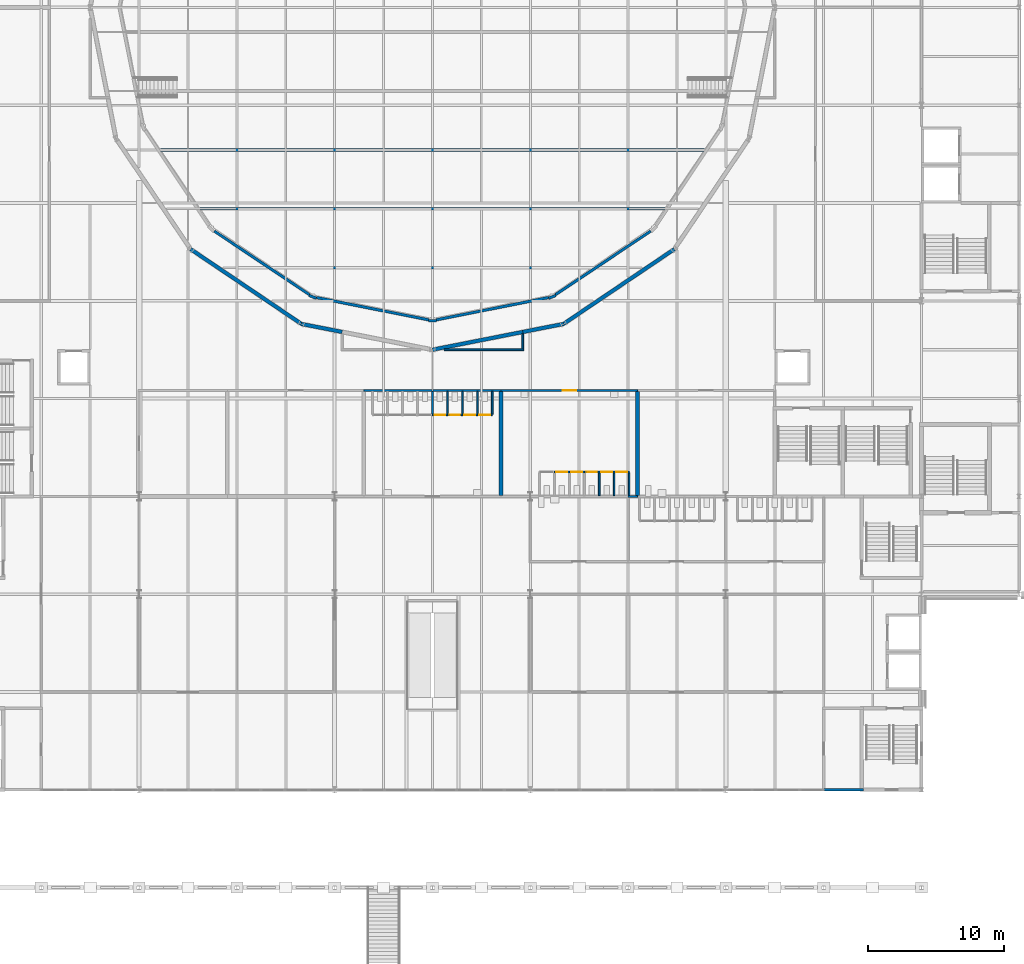
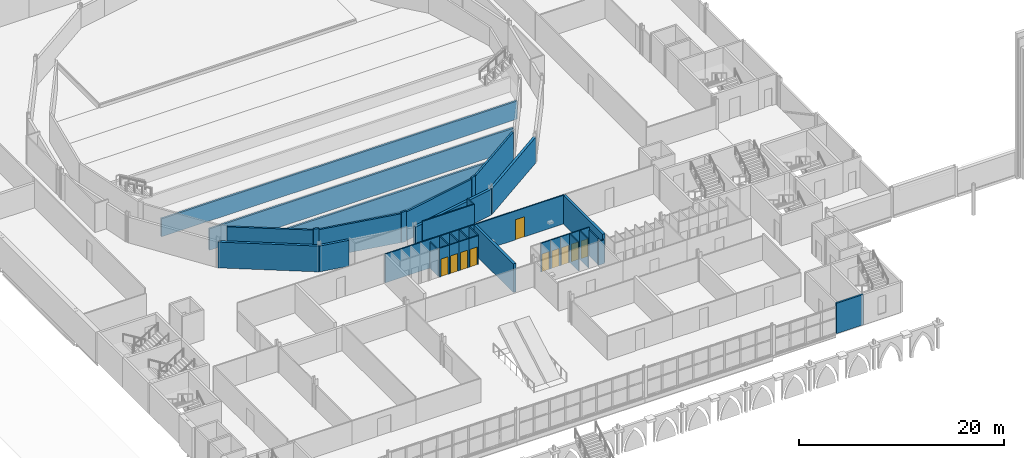
# One storey, part 47 of 90: 40 walls, 10 doors, 10 openings.
"""IFC4 building model written with IfcOpenShell, lengths in metres."""

from ifc_helpers import new_model, si_unit, direction, frame, frame_2d, origin, place, context, subcontext, project, spatial, rectangle, extrude, material, layer, layer_set, type_object, element, fill, save


model = new_model("IFC4")

# Units and contexts
model_context = context("Model", 3, precision=1e-05, world=origin(), true_north=direction((0.0, 1.0)))
body_context = subcontext(model_context, "Body", "Model", "MODEL_VIEW")
ifc_project = project(units=[si_unit("LENGTHUNIT", "METRE"), si_unit("AREAUNIT", "SQUARE_METRE"), si_unit("VOLUMEUNIT", "CUBIC_METRE"), si_unit("PLANEANGLEUNIT", "RADIAN"), si_unit("MASSUNIT", "GRAM", prefix="KILO")], contexts=[model_context])

# Site, building, storey
site_placement = place(None, origin())
site = spatial("IfcSite", under=ifc_project, at=site_placement, CompositionType="ELEMENT")
building_placement = place(site_placement, origin())
building = spatial("IfcBuilding", under=site, at=building_placement, Name="Kupolbacken Congress Centre", CompositionType="ELEMENT")
storey_placement = place(building_placement, frame((0.0, 0.0, 3.60009765625)))
storey = spatial("IfcBuildingStorey", under=building, at=storey_placement, Name="L01", CompositionType="ELEMENT", Elevation=3.60009765625)

# Wall, opening, door
ifc_material_1 = material(Name="Gypsum board", Category="drywall")
ifc_layer_1 = layer(ifc_material_1, 0.114990234375)
ifc_layer_set_1 = layer_set([ifc_layer_1], Name="Gypsum board")
wall_type_1 = type_object("IfcWallType", Name="P04 partition 115", PredefinedType="PARTITIONING", material=ifc_layer_set_1)
wall_1_placement = place(storey_placement, frame((43.199951171875, 56.39990234375, 0.0), z_axis=(0.0, 0.0, 1.0), x_axis=(1.0, 0.0, 0.0)))
wall_1 = element("IfcWall", 1, at=wall_1_placement, inside=storey, type_object=wall_type_1, Name="PD/L01/P-30-11/cub05/F", PredefinedType="PARTITIONING", context=body_context, shape_type="SweptSolid", body=[
    extrude(rectangle(XDim=1.10009765625, YDim=0.114990234375, at=frame_2d((0.550048828125, 0.0))), origin(), (0.0, 0.0, 1.0), 3.419921875),
])
opening_1_placement = place(wall_1_placement, frame((0.14990234375, 0.0, 0.0)))
opening_1 = element("IfcOpeningElement", 2, at=opening_1_placement, cuts=wall_1, Name="Opening 1.WP35", PredefinedType="OPENING", context=body_context, shape_type="SweptSolid", body=[
    extrude(rectangle(XDim=0.800048828125, YDim=2.10009765625, at=frame_2d((0.39990234375, 1.050048828125))), frame((0.0, 0.0673828125, 0.0), z_axis=(0.0, -1.0, 0.0), x_axis=(1.0, 0.0, 0.0)), (0.0, 0.0, 1.0), 0.135009765625),
])
ifc_material_2 = material(Name="Timber door leaf", Category="wood")
door_type_1 = type_object("IfcDoorType", Name="D2 door 800x2100", OperationType="SINGLE_SWING_LEFT", PredefinedType="DOOR", material=ifc_material_2)
door_1_placement = place(opening_1_placement, origin())
door_1 = element("IfcDoor", 3, at=door_1_placement, inside=storey, type_object=door_type_1, Name="PD/L01/P-30-11/cub05/F/DC", OperationType="SINGLE_SWING_RIGHT", OverallHeight=2.10009765625, OverallWidth=0.800048828125, PredefinedType="DOOR", context=body_context, shape_type="SweptSolid", body=[
    extrude(rectangle(XDim=0.800048828125, YDim=2.10009765625, at=frame_2d((0.39990234375, 1.050048828125))), frame((0.0, 0.02490234375, 0.0), z_axis=(0.0, -1.0, 0.0), x_axis=(1.0, 0.0, 0.0)), (0.0, 0.0, 1.0), 0.050048828125),
])
fill(opening_1, door_1)

# Wall
wall_2_placement = place(storey_placement, frame((43.199951171875, 58.142578125, 0.0), z_axis=(0.0, 0.0, 1.0), x_axis=(0.0, -1.0, 0.0)))
element("IfcWall", 4, at=wall_2_placement, inside=storey, type_object=wall_type_1, Name="PD/L01/P-30-11/cub05/a", PredefinedType="PARTITIONING", context=body_context, shape_type="SweptSolid", body=[
    extrude(rectangle(XDim=1.68505859375, YDim=0.114990234375, at=frame_2d((0.842529296875, 0.0))), origin(), (0.0, 0.0, 1.0), 3.119873046875),
])

# Wall, opening, door
wall_3_placement = place(storey_placement, frame((44.300048828125, 56.39990234375, 0.0), z_axis=(0.0, 0.0, 1.0), x_axis=(1.0, 0.0, 0.0)))
wall_3 = element("IfcWall", 5, at=wall_3_placement, inside=storey, type_object=wall_type_1, Name="PD/L01/P-30-11/cub06/F", PredefinedType="PARTITIONING", context=body_context, shape_type="SweptSolid", body=[
    extrude(rectangle(XDim=1.099853515625, YDim=0.114990234375, at=frame_2d((0.5498046875, 0.0))), origin(), (0.0, 0.0, 1.0), 3.419921875),
])
opening_2_placement = place(wall_3_placement, frame((0.14990234375, 0.0, 0.0)))
opening_2 = element("IfcOpeningElement", 6, at=opening_2_placement, cuts=wall_3, Name="Opening 1.WP36", PredefinedType="OPENING", context=body_context, shape_type="SweptSolid", body=[
    extrude(rectangle(XDim=0.800048828125, YDim=2.10009765625, at=frame_2d((0.39990234375, 1.050048828125))), frame((0.0, 0.0673828125, 0.0), z_axis=(0.0, -1.0, 0.0), x_axis=(1.0, 0.0, 0.0)), (0.0, 0.0, 1.0), 0.135009765625),
])
door_2_placement = place(opening_2_placement, origin())
door_2 = element("IfcDoor", 7, at=door_2_placement, inside=storey, type_object=door_type_1, Name="PD/L01/P-30-11/cub06/F/DC", OperationType="SINGLE_SWING_LEFT", OverallHeight=2.10009765625, OverallWidth=0.800048828125, PredefinedType="DOOR", context=body_context, shape_type="SweptSolid", body=[
    extrude(rectangle(XDim=0.800048828125, YDim=2.10009765625, at=frame_2d((0.39990234375, 1.050048828125))), frame((0.0, 0.02490234375, 0.0), z_axis=(0.0, -1.0, 0.0), x_axis=(1.0, 0.0, 0.0)), (0.0, 0.0, 1.0), 0.050048828125),
])
fill(opening_2, door_2)

# Wall
wall_4_placement = place(storey_placement, frame((44.300048828125, 58.142578125, 0.0), z_axis=(0.0, 0.0, 1.0), x_axis=(0.0, -1.0, 0.0)))
element("IfcWall", 8, at=wall_4_placement, inside=storey, type_object=wall_type_1, Name="PD/L01/P-30-11/cub06/a", PredefinedType="PARTITIONING", context=body_context, shape_type="SweptSolid", body=[
    extrude(rectangle(XDim=1.68505859375, YDim=0.114990234375, at=frame_2d((0.842529296875, 0.0))), origin(), (0.0, 0.0, 1.0), 3.419921875),
])

# Wall, opening, door
wall_5_placement = place(storey_placement, frame((45.39990234375, 56.39990234375, 0.0), z_axis=(0.0, 0.0, 1.0), x_axis=(1.0, 0.0, 0.0)))
wall_5 = element("IfcWall", 9, at=wall_5_placement, inside=storey, type_object=wall_type_1, Name="PD/L01/P-30-11/cub07/F", PredefinedType="PARTITIONING", context=body_context, shape_type="SweptSolid", body=[
    extrude(rectangle(XDim=1.10009765625, YDim=0.114990234375, at=frame_2d((0.550048828125, 0.0))), origin(), (0.0, 0.0, 1.0), 3.419921875),
])
opening_3_placement = place(wall_5_placement, frame((0.14990234375, 0.0, 0.0)))
opening_3 = element("IfcOpeningElement", 10, at=opening_3_placement, cuts=wall_5, Name="Opening 1.WP37", PredefinedType="OPENING", context=body_context, shape_type="SweptSolid", body=[
    extrude(rectangle(XDim=0.800048828125, YDim=2.10009765625, at=frame_2d((0.39990234375, 1.050048828125))), frame((0.0, 0.0673828125, 0.0), z_axis=(0.0, -1.0, 0.0), x_axis=(1.0, 0.0, 0.0)), (0.0, 0.0, 1.0), 0.135009765625),
])
door_3_placement = place(opening_3_placement, origin())
door_3 = element("IfcDoor", 11, at=door_3_placement, inside=storey, type_object=door_type_1, Name="PD/L01/P-30-11/cub07/F/DC", OperationType="SINGLE_SWING_RIGHT", OverallHeight=2.10009765625, OverallWidth=0.800048828125, PredefinedType="DOOR", context=body_context, shape_type="SweptSolid", body=[
    extrude(rectangle(XDim=0.800048828125, YDim=2.10009765625, at=frame_2d((0.39990234375, 1.050048828125))), frame((0.0, 0.02490234375, 0.0), z_axis=(0.0, -1.0, 0.0), x_axis=(1.0, 0.0, 0.0)), (0.0, 0.0, 1.0), 0.050048828125),
])
fill(opening_3, door_3)

# Wall
wall_6_placement = place(storey_placement, frame((45.39990234375, 58.142578125, 0.0), z_axis=(0.0, 0.0, 1.0), x_axis=(0.0, -1.0, 0.0)))
element("IfcWall", 12, at=wall_6_placement, inside=storey, type_object=wall_type_1, Name="PD/L01/P-30-11/cub07/a", PredefinedType="PARTITIONING", context=body_context, shape_type="SweptSolid", body=[
    extrude(rectangle(XDim=1.68505859375, YDim=0.114990234375, at=frame_2d((0.842529296875, 0.0))), origin(), (0.0, 0.0, 1.0), 3.419921875),
])

# Wall, opening, door
wall_7_placement = place(storey_placement, frame((46.5, 56.39990234375, 0.0), z_axis=(0.0, 0.0, 1.0), x_axis=(1.0, 0.0, 0.0)))
wall_7 = element("IfcWall", 13, at=wall_7_placement, inside=storey, type_object=wall_type_1, Name="PD/L01/P-30-11/cub08/F", PredefinedType="PARTITIONING", context=body_context, shape_type="SweptSolid", body=[
    extrude(rectangle(XDim=1.10009765625, YDim=0.114990234375, at=frame_2d((0.550048828125, 0.0))), origin(), (0.0, 0.0, 1.0), 3.419921875),
])
opening_4_placement = place(wall_7_placement, frame((0.14990234375, 0.0, 0.0)))
opening_4 = element("IfcOpeningElement", 14, at=opening_4_placement, cuts=wall_7, Name="Opening 1.WP38", PredefinedType="OPENING", context=body_context, shape_type="SweptSolid", body=[
    extrude(rectangle(XDim=0.800048828125, YDim=2.10009765625, at=frame_2d((0.39990234375, 1.050048828125))), frame((0.0, 0.0673828125, 0.0), z_axis=(0.0, -1.0, 0.0), x_axis=(1.0, 0.0, 0.0)), (0.0, 0.0, 1.0), 0.135009765625),
])
door_4_placement = place(opening_4_placement, origin())
door_4 = element("IfcDoor", 15, at=door_4_placement, inside=storey, type_object=door_type_1, Name="PD/L01/P-30-11/cub08/F/DC", OperationType="SINGLE_SWING_LEFT", OverallHeight=2.10009765625, OverallWidth=0.800048828125, PredefinedType="DOOR", context=body_context, shape_type="SweptSolid", body=[
    extrude(rectangle(XDim=0.800048828125, YDim=2.10009765625, at=frame_2d((0.39990234375, 1.050048828125))), frame((0.0, 0.02490234375, 0.0), z_axis=(0.0, -1.0, 0.0), x_axis=(1.0, 0.0, 0.0)), (0.0, 0.0, 1.0), 0.050048828125),
])
fill(opening_4, door_4)

# Walls
for number, where, z_axis, x_axis, name in (
    (16, (46.5, 58.142578125, 0.0), (0.0, 0.0, 1.0), (0.0, -1.0, 0.0), "PD/L01/P-30-11/cub08/a"),
    (17, (47.60009765625, 58.142578125, 0.0), (0.0, 0.0, 1.0), (0.0, -1.0, 0.0), "PD/L01/P-30-11/cub08/b"),
):
    element("IfcWall", number, at=place(storey_placement, frame(where, z_axis=z_axis, x_axis=x_axis)), inside=storey, type_object=wall_type_1, Name=name, PredefinedType="PARTITIONING", context=body_context, shape_type="SweptSolid", body=[
        extrude(rectangle(XDim=1.68505859375, YDim=0.114990234375, at=frame_2d((0.842529296875, 0.0))), origin(), (0.0, 0.0, 1.0), 3.419921875),
    ])

# Wall, opening, door
wall_8_placement = place(storey_placement, frame((52.175048828125, 52.199951171875, 0.0), z_axis=(0.0, 0.0, 1.0), x_axis=(1.0, 0.0, 0.0)))
wall_8 = element("IfcWall", 18, at=wall_8_placement, inside=storey, type_object=wall_type_1, Name="PD/L01/P-31-12/cub04/F", PredefinedType="PARTITIONING", context=body_context, shape_type="SweptSolid", body=[
    extrude(rectangle(XDim=1.099853515625, YDim=0.114990234375, at=frame_2d((0.5498046875, 0.0))), origin(), (0.0, 0.0, 1.0), 3.419921875),
])
opening_5_placement = place(wall_8_placement, frame((0.14990234375, 0.0, 0.0)))
opening_5 = element("IfcOpeningElement", 19, at=opening_5_placement, cuts=wall_8, Name="Opening 1.WP40", PredefinedType="OPENING", context=body_context, shape_type="SweptSolid", body=[
    extrude(rectangle(XDim=0.800048828125, YDim=2.10009765625, at=frame_2d((0.39990234375, 1.050048828125))), frame((0.0, 0.0673828125, 0.0), z_axis=(0.0, -1.0, 0.0), x_axis=(1.0, 0.0, 0.0)), (0.0, 0.0, 1.0), 0.135009765625),
])
door_5_placement = place(opening_5_placement, origin())
door_5 = element("IfcDoor", 20, at=door_5_placement, inside=storey, type_object=door_type_1, Name="PD/L01/P-31-12/cub04/F/DC", OperationType="SINGLE_SWING_LEFT", OverallHeight=2.10009765625, OverallWidth=0.800048828125, PredefinedType="DOOR", context=body_context, shape_type="SweptSolid", body=[
    extrude(rectangle(XDim=0.800048828125, YDim=2.10009765625, at=frame_2d((0.39990234375, 1.050048828125))), frame((0.0, 0.02490234375, 0.0), z_axis=(0.0, -1.0, 0.0), x_axis=(1.0, 0.0, 0.0)), (0.0, 0.0, 1.0), 0.050048828125),
])
fill(opening_5, door_5)

wall_9_placement = place(storey_placement, frame((53.27490234375, 52.199951171875, 0.0), z_axis=(0.0, 0.0, 1.0), x_axis=(1.0, 0.0, 0.0)))
wall_9 = element("IfcWall", 21, at=wall_9_placement, inside=storey, type_object=wall_type_1, Name="PD/L01/P-31-12/cub05/F", PredefinedType="PARTITIONING", context=body_context, shape_type="SweptSolid", body=[
    extrude(rectangle(XDim=1.10009765625, YDim=0.114990234375, at=frame_2d((0.550048828125, 0.0))), origin(), (0.0, 0.0, 1.0), 3.419921875),
])
opening_6_placement = place(wall_9_placement, frame((0.14990234375, 0.0, 0.0)))
opening_6 = element("IfcOpeningElement", 22, at=opening_6_placement, cuts=wall_9, Name="Opening 1.WP41", PredefinedType="OPENING", context=body_context, shape_type="SweptSolid", body=[
    extrude(rectangle(XDim=0.800048828125, YDim=2.10009765625, at=frame_2d((0.39990234375, 1.050048828125))), frame((0.0, 0.0673828125, 0.0), z_axis=(0.0, -1.0, 0.0), x_axis=(1.0, 0.0, 0.0)), (0.0, 0.0, 1.0), 0.135009765625),
])
door_6_placement = place(opening_6_placement, origin())
door_6 = element("IfcDoor", 23, at=door_6_placement, inside=storey, type_object=door_type_1, Name="PD/L01/P-31-12/cub05/F/DC", OperationType="SINGLE_SWING_LEFT", OverallHeight=2.10009765625, OverallWidth=0.800048828125, PredefinedType="DOOR", context=body_context, shape_type="SweptSolid", body=[
    extrude(rectangle(XDim=0.800048828125, YDim=2.10009765625, at=frame_2d((0.39990234375, 1.050048828125))), frame((0.0, 0.02490234375, 0.0), z_axis=(0.0, -1.0, 0.0), x_axis=(1.0, 0.0, 0.0)), (0.0, 0.0, 1.0), 0.050048828125),
])
fill(opening_6, door_6)

wall_10_placement = place(storey_placement, frame((54.375, 52.199951171875, 0.0), z_axis=(0.0, 0.0, 1.0), x_axis=(1.0, 0.0, 0.0)))
wall_10 = element("IfcWall", 24, at=wall_10_placement, inside=storey, type_object=wall_type_1, Name="PD/L01/P-31-12/cub06/F", PredefinedType="PARTITIONING", context=body_context, shape_type="SweptSolid", body=[
    extrude(rectangle(XDim=1.10009765625, YDim=0.114990234375, at=frame_2d((0.550048828125, 0.0))), origin(), (0.0, 0.0, 1.0), 3.419921875),
])
opening_7_placement = place(wall_10_placement, frame((0.14990234375, 0.0, 0.0)))
opening_7 = element("IfcOpeningElement", 25, at=opening_7_placement, cuts=wall_10, Name="Opening 1.WP42", PredefinedType="OPENING", context=body_context, shape_type="SweptSolid", body=[
    extrude(rectangle(XDim=0.800048828125, YDim=2.10009765625, at=frame_2d((0.39990234375, 1.050048828125))), frame((0.0, 0.0673828125, 0.0), z_axis=(0.0, -1.0, 0.0), x_axis=(1.0, 0.0, 0.0)), (0.0, 0.0, 1.0), 0.135009765625),
])
door_7_placement = place(opening_7_placement, origin())
door_7 = element("IfcDoor", 26, at=door_7_placement, inside=storey, type_object=door_type_1, Name="PD/L01/P-31-12/cub06/F/DC", OperationType="SINGLE_SWING_LEFT", OverallHeight=2.10009765625, OverallWidth=0.800048828125, PredefinedType="DOOR", context=body_context, shape_type="SweptSolid", body=[
    extrude(rectangle(XDim=0.800048828125, YDim=2.10009765625, at=frame_2d((0.39990234375, 1.050048828125))), frame((0.0, 0.02490234375, 0.0), z_axis=(0.0, -1.0, 0.0), x_axis=(1.0, 0.0, 0.0)), (0.0, 0.0, 1.0), 0.050048828125),
])
fill(opening_7, door_7)

wall_11_placement = place(storey_placement, frame((55.47509765625, 52.199951171875, 0.0), z_axis=(0.0, 0.0, 1.0), x_axis=(1.0, 0.0, 0.0)))
wall_11 = element("IfcWall", 27, at=wall_11_placement, inside=storey, type_object=wall_type_1, Name="PD/L01/P-31-12/cub07/F", PredefinedType="PARTITIONING", context=body_context, shape_type="SweptSolid", body=[
    extrude(rectangle(XDim=1.099853515625, YDim=0.114990234375, at=frame_2d((0.5498046875, 0.0))), origin(), (0.0, 0.0, 1.0), 3.419921875),
])
opening_8_placement = place(wall_11_placement, frame((0.14990234375, 0.0, 0.0)))
opening_8 = element("IfcOpeningElement", 28, at=opening_8_placement, cuts=wall_11, Name="Opening 1.WP43", PredefinedType="OPENING", context=body_context, shape_type="SweptSolid", body=[
    extrude(rectangle(XDim=0.800048828125, YDim=2.10009765625, at=frame_2d((0.39990234375, 1.050048828125))), frame((0.0, 0.0673828125, 0.0), z_axis=(0.0, -1.0, 0.0), x_axis=(1.0, 0.0, 0.0)), (0.0, 0.0, 1.0), 0.135009765625),
])
door_8_placement = place(opening_8_placement, origin())
door_8 = element("IfcDoor", 29, at=door_8_placement, inside=storey, type_object=door_type_1, Name="PD/L01/P-31-12/cub07/F/DC", OperationType="SINGLE_SWING_LEFT", OverallHeight=2.10009765625, OverallWidth=0.800048828125, PredefinedType="DOOR", context=body_context, shape_type="SweptSolid", body=[
    extrude(rectangle(XDim=0.800048828125, YDim=2.10009765625, at=frame_2d((0.39990234375, 1.050048828125))), frame((0.0, 0.02490234375, 0.0), z_axis=(0.0, -1.0, 0.0), x_axis=(1.0, 0.0, 0.0)), (0.0, 0.0, 1.0), 0.050048828125),
])
fill(opening_8, door_8)

# Wall
wall_12_placement = place(storey_placement, frame((55.47509765625, 50.45751953125, 0.0), z_axis=(0.0, 0.0, 1.0), x_axis=(0.0, 1.0, 0.0)))
element("IfcWall", 30, at=wall_12_placement, inside=storey, type_object=wall_type_1, Name="PD/L01/P-31-12/cub07/a", PredefinedType="PARTITIONING", context=body_context, shape_type="SweptSolid", body=[
    extrude(rectangle(XDim=1.68505859375, YDim=0.114990234375, at=frame_2d((0.842529296875, 0.0))), origin(), (0.0, 0.0, 1.0), 3.419921875),
])

# Wall, opening, door
wall_13_placement = place(storey_placement, frame((56.574951171875, 52.199951171875, 0.0), z_axis=(0.0, 0.0, 1.0), x_axis=(1.0, 0.0, 0.0)))
wall_13 = element("IfcWall", 31, at=wall_13_placement, inside=storey, type_object=wall_type_1, Name="PD/L01/P-31-12/cub08/F", PredefinedType="PARTITIONING", context=body_context, shape_type="SweptSolid", body=[
    extrude(rectangle(XDim=1.10009765625, YDim=0.114990234375, at=frame_2d((0.550048828125, 0.0))), origin(), (0.0, 0.0, 1.0), 3.419921875),
])
opening_9_placement = place(wall_13_placement, frame((0.14990234375, 0.0, 0.0)))
opening_9 = element("IfcOpeningElement", 32, at=opening_9_placement, cuts=wall_13, Name="Opening 1.WP44", PredefinedType="OPENING", context=body_context, shape_type="SweptSolid", body=[
    extrude(rectangle(XDim=0.800048828125, YDim=2.10009765625, at=frame_2d((0.39990234375, 1.050048828125))), frame((0.0, 0.0673828125, 0.0), z_axis=(0.0, -1.0, 0.0), x_axis=(1.0, 0.0, 0.0)), (0.0, 0.0, 1.0), 0.135009765625),
])
door_9_placement = place(opening_9_placement, origin())
door_9 = element("IfcDoor", 33, at=door_9_placement, inside=storey, type_object=door_type_1, Name="PD/L01/P-31-12/cub08/F/DC", OperationType="SINGLE_SWING_LEFT", OverallHeight=2.10009765625, OverallWidth=0.800048828125, PredefinedType="DOOR", context=body_context, shape_type="SweptSolid", body=[
    extrude(rectangle(XDim=0.800048828125, YDim=2.10009765625, at=frame_2d((0.39990234375, 1.050048828125))), frame((0.0, 0.02490234375, 0.0), z_axis=(0.0, -1.0, 0.0), x_axis=(1.0, 0.0, 0.0)), (0.0, 0.0, 1.0), 0.050048828125),
])
fill(opening_9, door_9)

# Walls
wall_14_placement = place(storey_placement, frame((56.574951171875, 50.45751953125, 0.0), z_axis=(0.0, 0.0, 1.0), x_axis=(0.0, 1.0, 0.0)))
element("IfcWall", 34, at=wall_14_placement, inside=storey, type_object=wall_type_1, Name="PD/L01/P-31-12/cub08/a", PredefinedType="PARTITIONING", context=body_context, shape_type="SweptSolid", body=[
    extrude(rectangle(XDim=1.68505859375, YDim=0.114990234375, at=frame_2d((0.842529296875, 0.0))), origin(), (0.0, 0.0, 1.0), 3.419921875),
])
wall_15_placement = place(storey_placement, frame((57.675048828125, 50.45751953125, 0.0), z_axis=(0.0, 0.0, 1.0), x_axis=(0.0, 1.0, 0.0)))
element("IfcWall", 35, at=wall_15_placement, inside=storey, type_object=wall_type_1, Name="PD/L01/P-31-12/cub08/b", PredefinedType="PARTITIONING", context=body_context, shape_type="SweptSolid", body=[
    extrude(rectangle(XDim=1.68505859375, YDim=0.114990234375, at=frame_2d((0.842529296875, 0.0))), origin(), (0.0, 0.0, 1.0), 3.119873046875),
])
ifc_material_3 = material(Name="Gypsum board", Category="drywall")
ifc_layer_2 = layer(ifc_material_3, 0.135009765625)
ifc_layer_set_2 = layer_set([ifc_layer_2], Name="Gypsum board")
wall_type_2 = type_object("IfcWallType", Name="P06 compartment wall 135", PredefinedType="PARTITIONING", material=ifc_layer_set_2)
wall_16_placement = place(storey_placement, frame((57.60009765625, 50.39990234375, 0.0), z_axis=(0.0, 0.0, 1.0), x_axis=(1.0, 0.0, 0.0)))
element("IfcWall", 36, at=wall_16_placement, inside=storey, type_object=wall_type_2, Name="PD/L01/W052", PredefinedType="PARTITIONING", context=body_context, shape_type="SweptSolid", body=[
    extrude(rectangle(XDim=0.699951171875, YDim=0.135009765625, at=frame_2d((0.35009765625, 0.0))), origin(), (0.0, 0.0, 1.0), 2.81982421875),
])
wall_17_placement = place(storey_placement, frame((38.14990234375, 58.199951171875, 0.0), z_axis=(0.0, 0.0, 1.0), x_axis=(1.0, 0.0, 0.0)))
element("IfcWall", 37, at=wall_17_placement, inside=storey, type_object=wall_type_2, Name="PD/L01/W078", PredefinedType="PARTITIONING", context=body_context, shape_type="SweptSolid", body=[
    extrude(rectangle(XDim=10.10009765625, YDim=0.135009765625, at=frame_2d((5.050048828125, 0.0))), origin(), (0.0, 0.0, 1.0), 3.419921875),
])

# Wall, opening, door
wall_18_placement = place(storey_placement, frame((48.25, 58.199951171875, 0.0), z_axis=(0.0, 0.0, 1.0), x_axis=(1.0, 0.0, 0.0)))
wall_18 = element("IfcWall", 38, at=wall_18_placement, inside=storey, type_object=wall_type_2, Name="PD/L01/W080", PredefinedType="PARTITIONING", context=body_context, shape_type="SweptSolid", body=[
    extrude(rectangle(XDim=10.050048828125, YDim=0.135009765625, at=frame_2d((5.02490234375, 0.0))), origin(), (0.0, 0.0, 1.0), 3.419921875),
])
opening_10_placement = place(wall_18_placement, frame((4.550048828125, 0.0, 0.0)))
opening_10 = element("IfcOpeningElement", 39, at=opening_10_placement, cuts=wall_18, Name="Opening 1.P20", PredefinedType="OPENING", context=body_context, shape_type="SweptSolid", body=[
    extrude(rectangle(XDim=1.0, YDim=2.39990234375, at=frame_2d((0.5, 1.199951171875))), frame((0.0, 0.077392578125, 0.0), z_axis=(0.0, -1.0, 0.0), x_axis=(1.0, 0.0, 0.0)), (0.0, 0.0, 1.0), 0.155029296875),
])
ifc_material_4 = material(Name="Steel fire door leaf", Category="steel")
door_type_2 = type_object("IfcDoorType", Name="D8 fire door 1000x2400", OperationType="SINGLE_SWING_LEFT", PredefinedType="DOOR", material=ifc_material_4)
door_10_placement = place(opening_10_placement, frame((1.0, 0.0, 0.0), z_axis=(0.0, 0.0, 1.0), x_axis=(-1.0, 0.0, 0.0)))
door_10 = element("IfcDoor", 40, at=door_10_placement, inside=storey, type_object=door_type_2, Name="PD/L01/W080/D1P20", OperationType="SINGLE_SWING_LEFT", OverallHeight=2.39990234375, OverallWidth=1.0, PredefinedType="DOOR", context=body_context, shape_type="SweptSolid", body=[
    extrude(rectangle(XDim=1.0, YDim=2.39990234375, at=frame_2d((0.5, 1.199951171875))), frame((0.0, 0.02490234375, 0.0), z_axis=(0.0, -1.0, 0.0), x_axis=(1.0, 0.0, 0.0)), (0.0, 0.0, 1.0), 0.050048828125),
])
fill(opening_10, door_10)

# Walls
wall_19_placement = place(storey_placement, frame((44.050048828125, 61.199951171875, 0.0), z_axis=(0.0, 0.0, 1.0), x_axis=(1.0, 0.0, 0.0)))
element("IfcWall", 41, at=wall_19_placement, inside=storey, type_object=wall_type_2, Name="PD/L01/W089", PredefinedType="PARTITIONING", context=body_context, shape_type="SweptSolid", body=[
    extrude(rectangle(XDim=5.867431640625, YDim=0.135009765625, at=frame_2d((2.93359375, 0.0))), origin(), (0.0, 0.0, 1.0), 3.419921875),
])
wall_20_placement = place(storey_placement, frame((49.85009765625, 61.267578125, 0.0), z_axis=(0.0, 0.0, 1.0), x_axis=(0.0, 1.0, 0.0)))
element("IfcWall", 42, at=wall_20_placement, inside=storey, type_object=wall_type_2, Name="PD/L01/W098", PredefinedType="PARTITIONING", context=body_context, shape_type="SweptSolid", body=[
    extrude(rectangle(XDim=1.104248046875, YDim=0.135009765625, at=frame_2d((0.55224609375, 0.0))), origin(), (0.0, 0.0, 1.0), 3.419921875),
])
ifc_material_5 = material(Name="Gypsum board", Category="drywall")
ifc_layer_3 = layer(ifc_material_5, 0.27490234375)
ifc_layer_set_3 = layer_set([ifc_layer_3], Name="Gypsum board")
wall_type_3 = type_object("IfcWallType", Name="P12 partition 275", PredefinedType="PARTITIONING", material=ifc_layer_set_3)
for number, where, z_axis, x_axis, name in (
    (43, (48.25, 58.132568359375, 0.0), (0.0, 0.0, 1.0), (0.0, -1.0, 0.0), "PD/L01/W077"),
    (44, (58.300048828125, 58.132568359375, 0.0), (0.0, 0.0, 1.0), (0.0, -1.0, 0.0), "PD/L01/W079"),
):
    element("IfcWall", number, at=place(storey_placement, frame(where, z_axis=z_axis, x_axis=x_axis)), inside=storey, type_object=wall_type_3, Name=name, PredefinedType="PARTITIONING", context=body_context, shape_type="SweptSolid", body=[
        extrude(rectangle(XDim=7.6650390625, YDim=0.27490234375, at=frame_2d((3.83251953125, 0.0))), origin(), (0.0, 0.0, 1.0), 3.419921875),
    ])
wall_21_placement = place(storey_placement, frame((33.550048828125, 63.10009765625, 0.0), z_axis=(0.0, 0.0, 1.0), x_axis=(0.981153778086, -0.19322852726, 0.0)))
element("IfcWall", 45, at=wall_21_placement, inside=storey, type_object=wall_type_3, Name="PD/L01/W092", PredefinedType="PARTITIONING", context=body_context, shape_type="SweptSolid", body=[
    extrude(rectangle(XDim=3.0576171875, YDim=0.27490234375, at=frame_2d((1.52880859375, 0.0))), origin(), (0.0, 0.0, 1.0), 3.06982421875),
])
wall_22_placement = place(storey_placement, frame((25.39990234375, 68.60009765625, 0.0), z_axis=(0.0, 0.0, 1.0), x_axis=(0.828912285216, -0.559378604719, 0.0)))
element("IfcWall", 46, at=wall_22_placement, inside=storey, type_object=wall_type_3, Name="PD/L01/W095", PredefinedType="PARTITIONING", context=body_context, shape_type="SweptSolid", body=[
    extrude(rectangle(XDim=9.832275390625, YDim=0.27490234375, at=frame_2d((4.916015625, 0.0))), origin(), (0.0, 0.0, 1.0), 3.06982421875),
])
wall_23_placement = place(storey_placement, frame((49.85009765625, 62.50927734375, 0.0), z_axis=(0.0, 0.0, 1.0), x_axis=(0.981153778086, 0.19322852726, 0.0)))
element("IfcWall", 47, at=wall_23_placement, inside=storey, type_object=wall_type_3, Name="PD/L01/W101", PredefinedType="PARTITIONING", context=body_context, shape_type="SweptSolid", body=[
    extrude(rectangle(XDim=3.0576171875, YDim=0.27490234375, at=frame_2d((1.52880859375, 0.0))), origin(), (0.0, 0.0, 1.0), 3.06982421875),
])
wall_24_placement = place(storey_placement, frame((52.85009765625, 63.10009765625, 0.0), z_axis=(0.0, 0.0, 1.0), x_axis=(0.828904515443, 0.559390118145, 0.0)))
element("IfcWall", 48, at=wall_24_placement, inside=storey, type_object=wall_type_3, Name="PD/L01/W102", PredefinedType="PARTITIONING", context=body_context, shape_type="SweptSolid", body=[
    extrude(rectangle(XDim=9.83203125, YDim=0.27490234375, at=frame_2d((4.916015625, 0.0))), origin(), (0.0, 0.0, 1.0), 3.06982421875),
])
wall_25_placement = place(storey_placement, frame((43.199951171875, 61.199951171875, 0.0), z_axis=(0.0, 0.0, 1.0), x_axis=(0.981163689106, 0.193178195406, 0.0)))
element("IfcWall", 49, at=wall_25_placement, inside=storey, type_object=wall_type_3, Name="PD/L01/W104", PredefinedType="PARTITIONING", context=body_context, shape_type="SweptSolid", body=[
    extrude(rectangle(XDim=6.77783203125, YDim=0.27490234375, at=frame_2d((3.388916015625, 0.0))), origin(), (0.0, 0.0, 1.0), 3.06982421875),
])
ifc_material_6 = material(Name="Concrete C40/50", Category="concrete")
ifc_layer_4 = layer(ifc_material_6, 0.199951171875)
ifc_layer_set_4 = layer_set([ifc_layer_4], Name="Concrete C40/50")
wall_type_4 = type_object("IfcWallType", Name="TW1 RC tier wall 200", PredefinedType="SOLIDWALL", material=ifc_layer_set_4)
wall_26_placement = place(storey_placement, frame((27.13232421875, 69.936279296875, 0.0), z_axis=(0.0, 0.0, 1.0), x_axis=(0.831465896453, -0.555575794142, 0.0)))
element("IfcWall", 50, at=wall_26_placement, inside=storey, type_object=wall_type_4, Name="PD/L01/ringwall/2250", PredefinedType="SOLIDWALL", context=body_context, shape_type="SweptSolid", body=[
    extrude(rectangle(XDim=8.42626953125, YDim=0.199951171875, at=frame_2d((4.213134765625, 0.0))), origin(), (0.0, 0.0, 1.0), 3.431884765625),
])
for number, where, z_axis, x_axis, name in (
    (51, (34.65576171875, 65.040771484375, 0.0), (0.0, 0.0, 1.0), (0.980780754219, -0.1951130753, 0.0), "PD/L01/ringwall/2475"),
    (52, (43.47998046875, 63.396728515625, 0.0), (0.0, 0.0, 1.0), (0.980780754219, 0.1951130753, 0.0), "PD/L01/ringwall/2700"),
):
    element("IfcWall", number, at=place(storey_placement, frame(where, z_axis=z_axis, x_axis=x_axis)), inside=storey, type_object=wall_type_4, Name=name, PredefinedType="SOLIDWALL", context=body_context, shape_type="SweptSolid", body=[
        extrude(rectangle(XDim=8.426025390625, YDim=0.199951171875, at=frame_2d((4.212890625, 0.0))), origin(), (0.0, 0.0, 1.0), 3.431884765625),
    ])
wall_27_placement = place(storey_placement, frame((52.26171875, 65.2548828125, 0.0), z_axis=(0.0, 0.0, 1.0), x_axis=(0.831465896453, 0.555575794142, 0.0)))
element("IfcWall", 53, at=wall_27_placement, inside=storey, type_object=wall_type_4, Name="PD/L01/ringwall/2925", PredefinedType="SOLIDWALL", context=body_context, shape_type="SweptSolid", body=[
    extrude(rectangle(XDim=8.42626953125, YDim=0.199951171875, at=frame_2d((4.213134765625, 0.0))), origin(), (0.0, 0.0, 1.0), 3.431884765625),
])
for number, where, z_axis, x_axis, name in (
    (54, (34.1171875, 65.20361328125, 0.0), (0.0, 0.0, 1.0), (0.92383614176, -0.382788170111, 0.0), "PD/L01/ringpier/2475"),
    (55, (42.919921875, 63.341064453125, 0.0), (0.0, 0.0, 1.0), (1.0, 0.0, 0.0), "PD/L01/ringpier/2700"),
    (56, (51.765625, 64.9892578125, 0.0), (0.0, 0.0, 1.0), (0.92383614176, 0.382788170111, 0.0), "PD/L01/ringpier/2925"),
):
    element("IfcWall", number, at=place(storey_placement, frame(where, z_axis=z_axis, x_axis=x_axis)), inside=storey, type_object=wall_type_4, Name=name, PredefinedType="SOLIDWALL", context=body_context, shape_type="SweptSolid", body=[
        extrude(rectangle(XDim=0.56005859375, YDim=0.199951171875, at=frame_2d((0.280029296875, 0.0))), origin(), (0.0, 0.0, 1.0), 3.599853515625),
    ])
wall_28_placement = place(storey_placement, frame((23.18310546875, 75.912109375, 0.0), z_axis=(0.0, 0.0, 1.0), x_axis=(1.0, 0.0, 0.0)))
element("IfcWall", 57, at=wall_28_placement, inside=storey, type_object=wall_type_4, Name="PD/L01/tier/wall5/1", PredefinedType="SOLIDWALL", context=body_context, shape_type="SweptSolid", body=[
    extrude(rectangle(XDim=40.03369140625, YDim=0.199951171875, at=frame_2d((20.016845703125, 0.0))), origin(), (0.0, 0.0, 1.0), 2.143310546875),
])
wall_29_placement = place(storey_placement, frame((26.0810546875, 71.574951171875, 0.0), z_axis=(0.0, 0.0, 1.0), x_axis=(1.0, 0.0, 0.0)))
element("IfcWall", 58, at=wall_29_placement, inside=storey, type_object=wall_type_4, Name="PD/L01/tier/wall6/1", PredefinedType="SOLIDWALL", context=body_context, shape_type="SweptSolid", body=[
    extrude(rectangle(XDim=34.238037109375, YDim=0.199951171875, at=frame_2d((17.119140625, 0.0))), origin(), (0.0, 0.0, 1.0), 2.5693359375),
])
wall_30_placement = place(storey_placement, frame((31.48388671875, 67.237060546875, 0.0), z_axis=(0.0, 0.0, 1.0), x_axis=(1.0, 0.0, 0.0)))
element("IfcWall", 59, at=wall_30_placement, inside=storey, type_object=wall_type_4, Name="PD/L01/tier/wall7/1", PredefinedType="SOLIDWALL", context=body_context, shape_type="SweptSolid", body=[
    extrude(rectangle(XDim=23.432373046875, YDim=0.199951171875, at=frame_2d((11.71630859375, 0.0))), origin(), (0.0, 0.0, 1.0), 2.99560546875),
])
ifc_material_7 = material(Name="Concrete C40/50", Category="concrete")
ifc_layer_5 = layer(ifc_material_7, 0.199951171875)
ifc_layer_set_5 = layer_set([ifc_layer_5], Name="Concrete C40/50")
wall_type_5 = type_object("IfcWallType", Name="WC1 RC shaft wall 200", PredefinedType="SHEAR", material=ifc_layer_set_5)
wall_31_placement = place(storey_placement, frame((71.89990234375, 28.800048828125, 0.0), z_axis=(0.0, 0.0, 1.0), x_axis=(1.0, 0.0, 0.0)))
element("IfcWall", 60, at=wall_31_placement, inside=storey, type_object=wall_type_5, Name="Shaft wall L01-004", PredefinedType="SHEAR", context=body_context, shape_type="SweptSolid", body=[
    extrude(rectangle(XDim=3.025146484375, YDim=0.199951171875, at=frame_2d((1.5126953125, 0.0))), origin(), (0.0, 0.0, 1.0), 3.599853515625),
])

save(model, "model.ifc")
